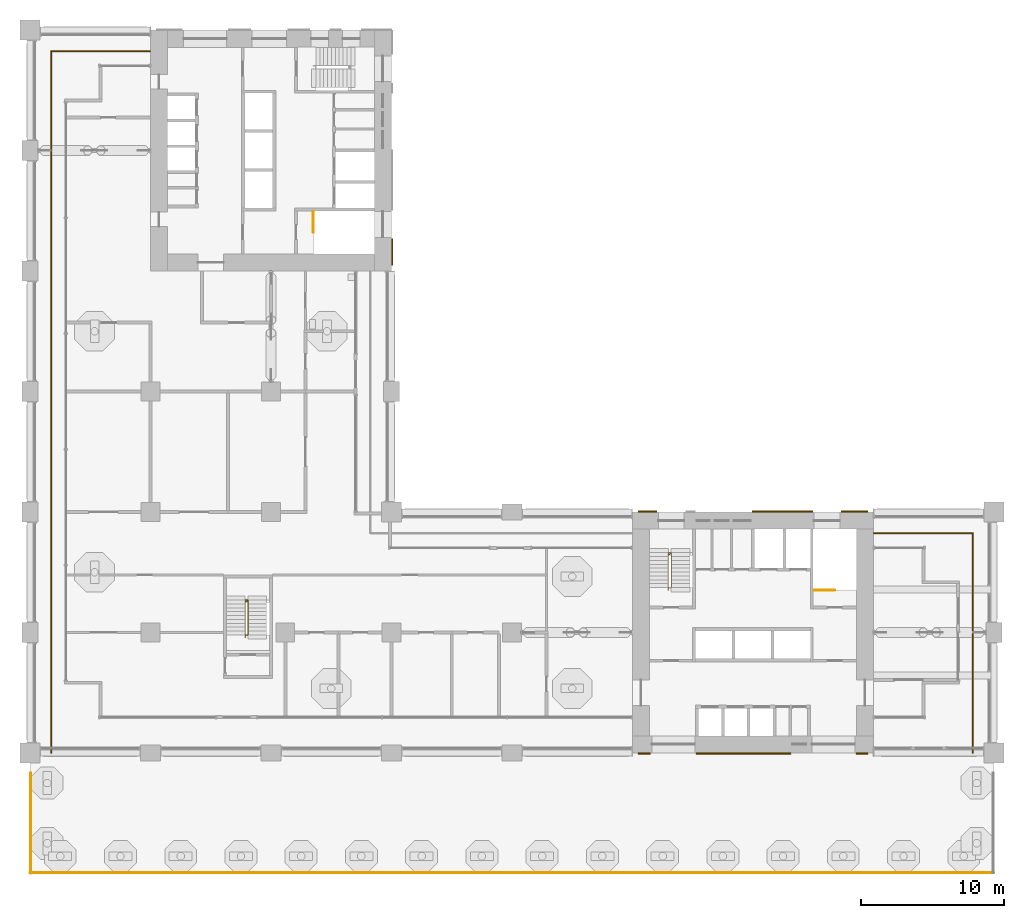
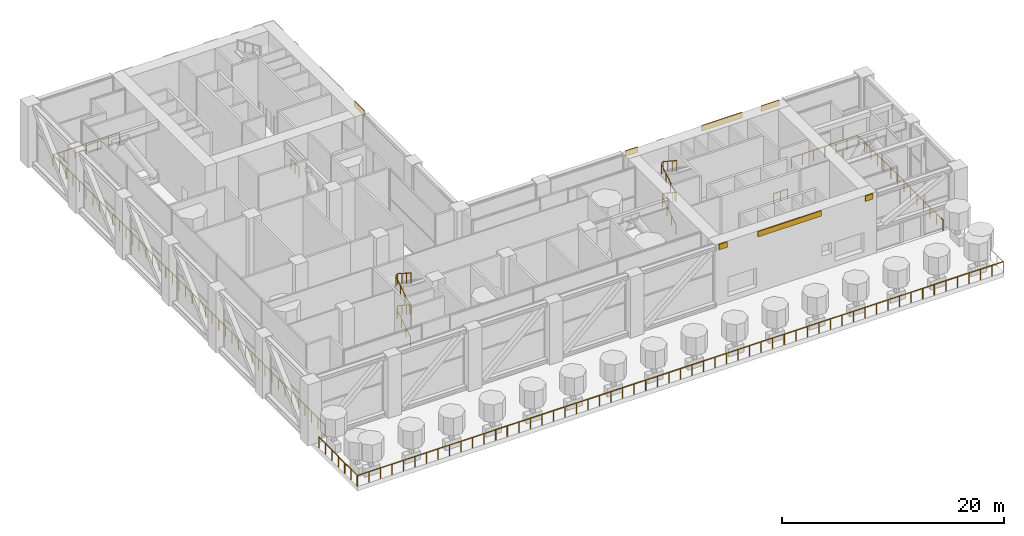
# One storey, part 23 of 28: 8 railings, 7 shading devices.
"""IFC4 building model written with IfcOpenShell, lengths in metres."""

import ifcopenshell
import ifcopenshell.guid

model = None  # the IFC model being written
_history = None  # IfcOwnerHistory: only IFC2X3 demands one
_inside = {}  # id of a spatial element -> (the spatial element, [elements in it])
_under = {}  # id of a project, library or spatial element -> (it, [spatial elements below it])
_declared = {}  # id of a project -> (the project, [libraries it declares])
_typed = {}  # id of a type object -> (the type object, [elements of that type])
_made_of = {}  # id of a material, layer set ... -> (it, [elements and type objects made of it])


def new_model(schema):
    """Start an empty IFC model of exactly this schema.

    Asked for "IFC4X3", IfcOpenShell would pick the latest addendum, in which some entities
    have other attributes; the version numbers below select the first issue.
    IFC2X3 requires an IfcOwnerHistory on every rooted entity: one is made here for all.
    """
    global model, _history
    if schema == "IFC4X3":
        model = ifcopenshell.file(schema_version=(4, 3, 0, 0))
    else:
        model = ifcopenshell.file(schema=schema)
    _inside.clear()
    _under.clear()
    _declared.clear()
    _typed.clear()
    _made_of.clear()
    _history = None
    if model.schema == "IFC2X3":
        org = make("IfcOrganization", Name="unknown")
        user = make(
            "IfcPersonAndOrganization",
            ThePerson=make("IfcPerson", FamilyName="unknown"),
            TheOrganization=org,
        )
        app = make(
            "IfcApplication",
            ApplicationDeveloper=org,
            Version="unknown",
            ApplicationFullName="unknown",
            ApplicationIdentifier="unknown",
        )
        _history = make(
            "IfcOwnerHistory",
            OwningUser=user,
            OwningApplication=app,
            ChangeAction="ADDED",
            CreationDate=0,
        )
    return model


def make(cls, **values):
    """One entity of the class cls with the attributes given. An attribute that is None is left unset."""
    return model.create_entity(
        cls, **{name: value for name, value in values.items() if value is not None}
    )


def rooted(cls, **values):
    """An entity with a GlobalId (a new one), such as an element, a storey or a relation."""
    return make(cls, GlobalId=ifcopenshell.guid.new(), OwnerHistory=_history, **values)


def si_unit(unit_type, name, prefix=None):
    """IfcSIUnit, for example si_unit("LENGTHUNIT", "METRE", prefix="MILLI")."""
    return make("IfcSIUnit", UnitType=unit_type, Prefix=prefix, Name=name)


def assignment(units):
    """IfcUnitAssignment: the units of a project."""
    return None if units is None else make("IfcUnitAssignment", Units=units)


def point(xyz):
    """IfcCartesianPoint."""
    return None if xyz is None else make("IfcCartesianPoint", Coordinates=xyz)


def direction(xyz):
    """IfcDirection."""
    return None if xyz is None else make("IfcDirection", DirectionRatios=xyz)


def frame(location, z_axis=None, x_axis=None):
    """IfcAxis2Placement3D, a coordinate frame: its origin and axes. An axis left out is left unset."""
    return make(
        "IfcAxis2Placement3D",
        Location=point(location),
        Axis=direction(z_axis),
        RefDirection=direction(x_axis),
    )


def frame_2d(location, x_axis=None):
    """IfcAxis2Placement2D, a coordinate frame in the plane: its origin and x axis."""
    return make(
        "IfcAxis2Placement2D", Location=point(location), RefDirection=direction(x_axis)
    )


def origin():
    """The frame at (0, 0, 0) with its axes left unset."""
    return frame((0.0, 0.0, 0.0))


def origin_2d():
    """The frame at (0, 0) in the plane with its x axis left unset."""
    return frame_2d((0.0, 0.0))


def place(relative_to, where):
    """IfcLocalPlacement: puts the frame where relative to a parent placement (None: the world)."""
    return make(
        "IfcLocalPlacement", PlacementRelTo=relative_to, RelativePlacement=where
    )


def context(
    kind, dimensions, precision=None, world=None, true_north=None, identifier=None
):
    """IfcGeometricRepresentationContext, for example the 3D "Model" context."""
    return make(
        "IfcGeometricRepresentationContext",
        ContextIdentifier=identifier,
        ContextType=kind,
        CoordinateSpaceDimension=dimensions,
        Precision=precision,
        WorldCoordinateSystem=world,
        TrueNorth=true_north,
    )


def subcontext(parent, identifier, kind, view, scale=None):
    """IfcGeometricRepresentationSubContext, for example "Body" below "Model"."""
    return make(
        "IfcGeometricRepresentationSubContext",
        ContextIdentifier=identifier,
        ContextType=kind,
        ParentContext=parent,
        TargetScale=scale,
        TargetView=view,
    )


def project(units=None, contexts=None):
    """IfcProject with its units and contexts."""
    return rooted(
        "IfcProject",
        Name="project",
        RepresentationContexts=contexts,
        UnitsInContext=assignment(units),
    )


def spatial(cls, under=None, at=None, **own):
    """A site, building, storey or space (cls), placed at a placement, below another one or the project."""
    s = rooted(cls, ObjectPlacement=at, **own)
    if under is not None:
        _under.setdefault(under.id(), (under, []))[1].append(s)
    return s


def profile(cls, at=None, kind="AREA", **sizes):
    """A parametric profile (cls). Its sizes go by their IFC names, for example OverallWidth=200.0."""
    return make(cls, ProfileType=kind, Position=at, **sizes)


def rectangle(**sizes):
    """IfcRectangleProfileDef."""
    return profile("IfcRectangleProfileDef", **sizes)


def circle(**sizes):
    """IfcCircleProfileDef."""
    return profile("IfcCircleProfileDef", **sizes)


def extrude(swept, where, along, depth):
    """IfcExtrudedAreaSolid: the profile swept, set in the frame where, extruded along a direction by depth."""
    return make(
        "IfcExtrudedAreaSolid",
        SweptArea=swept,
        Position=where,
        ExtrudedDirection=direction(along),
        Depth=depth,
    )


def shape(context_of_items, identifier, shape_type, items):
    """IfcShapeRepresentation: the items that make up one representation, for example the "Body"."""
    return make(
        "IfcShapeRepresentation",
        ContextOfItems=context_of_items,
        RepresentationIdentifier=identifier,
        RepresentationType=shape_type,
        Items=items,
    )


def material(Name=None, Category=None):
    """IfcMaterial."""
    return make("IfcMaterial", Name=Name, Category=Category)


def layer(
    of_material, thickness, ventilated=None, Name=None, Category=None, Priority=None
):
    """IfcMaterialLayer: one layer of a wall or slab, of a material (None: an air gap)."""
    return make(
        "IfcMaterialLayer",
        Material=of_material,
        LayerThickness=thickness,
        IsVentilated=ventilated,
        Name=Name,
        Category=Category,
        Priority=Priority,
    )


def layer_set(layers, Name=None):
    """IfcMaterialLayerSet."""
    return make("IfcMaterialLayerSet", MaterialLayers=layers, LayerSetName=Name)


def made_of(thing, what):
    """Note that an element or type object is made of a material, layer set ...; save() writes the relation."""
    if what is not None:
        _made_of.setdefault(what.id(), (what, []))[1].append(thing)
    return thing


def type_object(cls, material=None, **own):
    """A type object (cls), such as IfcWallType, which elements share."""
    return made_of(rooted(cls, **own), material)


def element(
    cls,
    number,
    at=None,
    inside=None,
    cuts=None,
    type_object=None,
    material=None,
    context=None,
    identifier="Body",
    shape_type=None,
    held_by="IfcProductDefinitionShape",
    body=None,
    shapes=None,
    **own,
):
    """One element of the class cls, such as IfcWall. Its Tag is "e" and its number.

    at: its placement. inside: the storey or other place that contains it. cuts: it is an
    opening in that element (IfcRelVoidsElement). A single representation is given by context,
    identifier, shape_type and body (its items); several are given by shapes. held_by: the class
    of the entity that holds the representations. save() writes the other relations.
    """
    e = rooted(cls, Tag="e%d" % number, ObjectPlacement=at, **own)
    if body is not None:
        shapes = [shape(context, identifier, shape_type, body)]
    if shapes is not None:
        e.Representation = make(held_by, Representations=shapes)
    if inside is not None:
        _inside.setdefault(inside.id(), (inside, []))[1].append(e)
    if cuts is not None:
        rooted(
            "IfcRelVoidsElement", RelatingBuildingElement=cuts, RelatedOpeningElement=e
        )
    if type_object is not None:
        _typed.setdefault(type_object.id(), (type_object, []))[1].append(e)
    return made_of(e, material)


def aggregate(whole, parts):
    """IfcRelAggregates: a whole, such as a stair, and the parts it consists of."""
    return rooted("IfcRelAggregates", RelatingObject=whole, RelatedObjects=parts)


def save(model, path):
    """Write the relations noted so far, then the file.

    IfcRelAggregates (storeys below a building ...), IfcRelContainedInSpatialStructure (elements
    in a storey), IfcRelDefinesByType, IfcRelAssociatesMaterial and IfcRelDeclares: one each for
    every whole, place, type object, material and project.
    """
    for whole, parts in _under.values():
        aggregate(whole, parts)
    for where, things in _inside.values():
        rooted(
            "IfcRelContainedInSpatialStructure",
            RelatedElements=things,
            RelatingStructure=where,
        )
    for kind, things in _typed.values():
        rooted("IfcRelDefinesByType", RelatedObjects=things, RelatingType=kind)
    for what, things in _made_of.values():
        rooted("IfcRelAssociatesMaterial", RelatedObjects=things, RelatingMaterial=what)
    for by, libraries in _declared.values():
        rooted("IfcRelDeclares", RelatingContext=by, RelatedDefinitions=libraries)
    model.write(path)


model = new_model("IFC4")

# Units and contexts
model_context = context("Model", 3, precision=1e-05, world=origin(), true_north=direction((0.0, 1.0)))
body_context = subcontext(model_context, "Body", "Model", "MODEL_VIEW")
ifc_project = project(units=[si_unit("LENGTHUNIT", "METRE"), si_unit("AREAUNIT", "SQUARE_METRE"), si_unit("VOLUMEUNIT", "CUBIC_METRE"), si_unit("PLANEANGLEUNIT", "RADIAN"), si_unit("MASSUNIT", "GRAM", prefix="KILO")], contexts=[model_context])

# Site, building, storey
site_placement = place(None, origin())
site = spatial("IfcSite", under=ifc_project, at=site_placement, CompositionType="ELEMENT")
building_placement = place(site_placement, origin())
building = spatial("IfcBuilding", under=site, at=building_placement, Name="Vermilion Gate Residences", CompositionType="ELEMENT")
storey_placement = place(building_placement, frame((0.0, 0.0, 74.199951171875)))
storey = spatial("IfcBuildingStorey", under=building, at=storey_placement, Name="L18", CompositionType="ELEMENT", Elevation=74.199951171875)

# Railings
ifc_material_1 = material(Name="Stainless steel and toughened glass", Category="steel")
railing_type_1 = type_object("IfcRailingType", Name="LOGGIA GUARD STEEL AND GLASS 1200", PredefinedType="GUARDRAIL", material=ifc_material_1)
railing_1_placement = place(storey_placement, frame((65.72509765625, 8.39990234375, 0.0)))
element("IfcRailing", 1, at=railing_1_placement, inside=storey, type_object=railing_type_1, Name="Loggia guard", PredefinedType="GUARDRAIL", context=body_context, shape_type="SweptSolid", body=[
    extrude(circle(Radius=0.030029296875, at=origin_2d()), frame((0.0, 0.0, 1.169921875), z_axis=(0.0, 1.0, 0.0), x_axis=(-1.0, 0.0, 0.0)), (0.0, 0.0, 1.0), 15.3251953125),
    extrude(circle(Radius=0.030029296875, at=origin_2d()), frame((0.0, 15.3251953125, 1.169921875), z_axis=(-1.0, 0.0, 0.0), x_axis=(0.0, -1.0, 0.0)), (0.0, 0.0, 1.0), 6.903076171875),
    extrude(circle(Radius=0.02490234375, at=origin_2d()), origin(), (0.0, 0.0, 1.0), 1.139892578125),
    extrude(circle(Radius=0.02490234375, at=origin_2d()), frame((0.0, 1.178955078125, 0.0)), (0.0, 0.0, 1.0), 1.139892578125),
    extrude(circle(Radius=0.02490234375, at=origin_2d()), frame((0.0, 2.357666015625, 0.0)), (0.0, 0.0, 1.0), 1.139892578125),
    extrude(circle(Radius=0.02490234375, at=origin_2d()), frame((0.0, 3.53662109375, 0.0)), (0.0, 0.0, 1.0), 1.139892578125),
    extrude(circle(Radius=0.02490234375, at=origin_2d()), frame((0.0, 4.71533203125, 0.0)), (0.0, 0.0, 1.0), 1.139892578125),
    extrude(circle(Radius=0.02490234375, at=origin_2d()), frame((0.0, 5.894287109375, 0.0)), (0.0, 0.0, 1.0), 1.139892578125),
    extrude(circle(Radius=0.02490234375, at=origin_2d()), frame((0.0, 7.0732421875, 0.0)), (0.0, 0.0, 1.0), 1.139892578125),
    extrude(circle(Radius=0.02490234375, at=origin_2d()), frame((0.0, 8.251953125, 0.0)), (0.0, 0.0, 1.0), 1.139892578125),
    extrude(circle(Radius=0.02490234375, at=origin_2d()), frame((0.0, 9.430908203125, 0.0)), (0.0, 0.0, 1.0), 1.139892578125),
    extrude(circle(Radius=0.02490234375, at=origin_2d()), frame((0.0, 10.60986328125, 0.0)), (0.0, 0.0, 1.0), 1.139892578125),
    extrude(circle(Radius=0.02490234375, at=origin_2d()), frame((0.0, 11.78857421875, 0.0)), (0.0, 0.0, 1.0), 1.139892578125),
    extrude(circle(Radius=0.02490234375, at=origin_2d()), frame((0.0, 12.967529296875, 0.0)), (0.0, 0.0, 1.0), 1.139892578125),
    extrude(circle(Radius=0.02490234375, at=origin_2d()), frame((0.0, 14.146240234375, 0.0)), (0.0, 0.0, 1.0), 1.139892578125),
    extrude(circle(Radius=0.02490234375, at=origin_2d()), frame((0.0, 15.3251953125, 0.0)), (0.0, 0.0, 1.0), 1.139892578125),
    extrude(circle(Radius=0.02490234375, at=origin_2d()), frame((-1.150390625, 15.3251953125, 0.0)), (0.0, 0.0, 1.0), 1.139892578125),
    extrude(circle(Radius=0.02490234375, at=origin_2d()), frame((-2.301025390625, 15.3251953125, 0.0)), (0.0, 0.0, 1.0), 1.139892578125),
    extrude(circle(Radius=0.02490234375, at=origin_2d()), frame((-3.45166015625, 15.3251953125, 0.0)), (0.0, 0.0, 1.0), 1.139892578125),
    extrude(circle(Radius=0.02490234375, at=origin_2d()), frame((-4.60205078125, 15.3251953125, 0.0)), (0.0, 0.0, 1.0), 1.139892578125),
    extrude(circle(Radius=0.02490234375, at=origin_2d()), frame((-5.75244140625, 15.3251953125, 0.0)), (0.0, 0.0, 1.0), 1.139892578125),
    extrude(circle(Radius=0.02490234375, at=origin_2d()), frame((-6.903076171875, 15.3251953125, 0.0)), (0.0, 0.0, 1.0), 1.139892578125),
])
railing_2_placement = place(storey_placement, frame((8.3779296875, 57.324951171875, 0.0)))
element("IfcRailing", 2, at=railing_2_placement, inside=storey, type_object=railing_type_1, Name="Loggia guard", PredefinedType="GUARDRAIL", context=body_context, shape_type="SweptSolid", body=[
    extrude(circle(Radius=0.030029296875, at=origin_2d()), frame((0.0, 0.0, 1.169921875), z_axis=(-1.0, 0.0, 0.0), x_axis=(0.0, -1.0, 0.0)), (0.0, 0.0, 1.0), 6.90283203125),
    extrude(circle(Radius=0.030029296875, at=origin_2d()), frame((-6.90283203125, 0.0, 1.169921875), z_axis=(0.0, -1.0, 0.0), x_axis=(1.0, 0.0, 0.0)), (0.0, 0.0, 1.0), 48.925048828125),
    extrude(circle(Radius=0.02490234375, at=origin_2d()), origin(), (0.0, 0.0, 1.0), 1.139892578125),
    extrude(circle(Radius=0.02490234375, at=origin_2d()), frame((-1.150390625, 0.0, 0.0)), (0.0, 0.0, 1.0), 1.139892578125),
    extrude(circle(Radius=0.02490234375, at=origin_2d()), frame((-2.301025390625, 0.0, 0.0)), (0.0, 0.0, 1.0), 1.139892578125),
    extrude(circle(Radius=0.02490234375, at=origin_2d()), frame((-3.451416015625, 0.0, 0.0)), (0.0, 0.0, 1.0), 1.139892578125),
    extrude(circle(Radius=0.02490234375, at=origin_2d()), frame((-4.601806640625, 0.0, 0.0)), (0.0, 0.0, 1.0), 1.139892578125),
    extrude(circle(Radius=0.02490234375, at=origin_2d()), frame((-5.75244140625, 0.0, 0.0)), (0.0, 0.0, 1.0), 1.139892578125),
    extrude(circle(Radius=0.02490234375, at=origin_2d()), frame((-6.90283203125, 0.0, 0.0)), (0.0, 0.0, 1.0), 1.139892578125),
    extrude(circle(Radius=0.02490234375, at=origin_2d()), frame((-6.90283203125, -1.193359375, 0.0)), (0.0, 0.0, 1.0), 1.139892578125),
    extrude(circle(Radius=0.02490234375, at=origin_2d()), frame((-6.90283203125, -2.386474609375, 0.0)), (0.0, 0.0, 1.0), 1.139892578125),
    extrude(circle(Radius=0.02490234375, at=origin_2d()), frame((-6.90283203125, -3.579833984375, 0.0)), (0.0, 0.0, 1.0), 1.139892578125),
    extrude(circle(Radius=0.02490234375, at=origin_2d()), frame((-6.90283203125, -4.773193359375, 0.0)), (0.0, 0.0, 1.0), 1.139892578125),
    extrude(circle(Radius=0.02490234375, at=origin_2d()), frame((-6.90283203125, -5.966552734375, 0.0)), (0.0, 0.0, 1.0), 1.139892578125),
    extrude(circle(Radius=0.02490234375, at=origin_2d()), frame((-6.90283203125, -7.15966796875, 0.0)), (0.0, 0.0, 1.0), 1.139892578125),
    extrude(circle(Radius=0.02490234375, at=origin_2d()), frame((-6.90283203125, -8.35302734375, 0.0)), (0.0, 0.0, 1.0), 1.139892578125),
    extrude(circle(Radius=0.02490234375, at=origin_2d()), frame((-6.90283203125, -9.54638671875, 0.0)), (0.0, 0.0, 1.0), 1.139892578125),
    extrude(circle(Radius=0.02490234375, at=origin_2d()), frame((-6.90283203125, -10.73974609375, 0.0)), (0.0, 0.0, 1.0), 1.139892578125),
    extrude(circle(Radius=0.02490234375, at=origin_2d()), frame((-6.90283203125, -11.932861328125, 0.0)), (0.0, 0.0, 1.0), 1.139892578125),
    extrude(circle(Radius=0.02490234375, at=origin_2d()), frame((-6.90283203125, -13.126220703125, 0.0)), (0.0, 0.0, 1.0), 1.139892578125),
    extrude(circle(Radius=0.02490234375, at=origin_2d()), frame((-6.90283203125, -14.319580078125, 0.0)), (0.0, 0.0, 1.0), 1.139892578125),
    extrude(circle(Radius=0.02490234375, at=origin_2d()), frame((-6.90283203125, -15.512939453125, 0.0)), (0.0, 0.0, 1.0), 1.139892578125),
    extrude(circle(Radius=0.02490234375, at=origin_2d()), frame((-6.90283203125, -16.7060546875, 0.0)), (0.0, 0.0, 1.0), 1.139892578125),
    extrude(circle(Radius=0.02490234375, at=origin_2d()), frame((-6.90283203125, -17.8994140625, 0.0)), (0.0, 0.0, 1.0), 1.139892578125),
    extrude(circle(Radius=0.02490234375, at=origin_2d()), frame((-6.90283203125, -19.0927734375, 0.0)), (0.0, 0.0, 1.0), 1.139892578125),
    extrude(circle(Radius=0.02490234375, at=origin_2d()), frame((-6.90283203125, -20.285888671875, 0.0)), (0.0, 0.0, 1.0), 1.139892578125),
    extrude(circle(Radius=0.02490234375, at=origin_2d()), frame((-6.90283203125, -21.479248046875, 0.0)), (0.0, 0.0, 1.0), 1.139892578125),
    extrude(circle(Radius=0.02490234375, at=origin_2d()), frame((-6.90283203125, -22.672607421875, 0.0)), (0.0, 0.0, 1.0), 1.139892578125),
    extrude(circle(Radius=0.02490234375, at=origin_2d()), frame((-6.90283203125, -23.865966796875, 0.0)), (0.0, 0.0, 1.0), 1.139892578125),
    extrude(circle(Radius=0.02490234375, at=origin_2d()), frame((-6.90283203125, -25.05908203125, 0.0)), (0.0, 0.0, 1.0), 1.139892578125),
    extrude(circle(Radius=0.02490234375, at=origin_2d()), frame((-6.90283203125, -26.25244140625, 0.0)), (0.0, 0.0, 1.0), 1.139892578125),
    extrude(circle(Radius=0.02490234375, at=origin_2d()), frame((-6.90283203125, -27.44580078125, 0.0)), (0.0, 0.0, 1.0), 1.139892578125),
    extrude(circle(Radius=0.02490234375, at=origin_2d()), frame((-6.90283203125, -28.63916015625, 0.0)), (0.0, 0.0, 1.0), 1.139892578125),
    extrude(circle(Radius=0.02490234375, at=origin_2d()), frame((-6.90283203125, -29.832275390625, 0.0)), (0.0, 0.0, 1.0), 1.139892578125),
    extrude(circle(Radius=0.02490234375, at=origin_2d()), frame((-6.90283203125, -31.025634765625, 0.0)), (0.0, 0.0, 1.0), 1.139892578125),
    extrude(circle(Radius=0.02490234375, at=origin_2d()), frame((-6.90283203125, -32.218994140625, 0.0)), (0.0, 0.0, 1.0), 1.139892578125),
    extrude(circle(Radius=0.02490234375, at=origin_2d()), frame((-6.90283203125, -33.412109375, 0.0)), (0.0, 0.0, 1.0), 1.139892578125),
    extrude(circle(Radius=0.02490234375, at=origin_2d()), frame((-6.90283203125, -34.60546875, 0.0)), (0.0, 0.0, 1.0), 1.139892578125),
    extrude(circle(Radius=0.02490234375, at=origin_2d()), frame((-6.90283203125, -35.798828125, 0.0)), (0.0, 0.0, 1.0), 1.139892578125),
    extrude(circle(Radius=0.02490234375, at=origin_2d()), frame((-6.90283203125, -36.9921875, 0.0)), (0.0, 0.0, 1.0), 1.139892578125),
    extrude(circle(Radius=0.02490234375, at=origin_2d()), frame((-6.90283203125, -38.185302734375, 0.0)), (0.0, 0.0, 1.0), 1.139892578125),
    extrude(circle(Radius=0.02490234375, at=origin_2d()), frame((-6.90283203125, -39.378662109375, 0.0)), (0.0, 0.0, 1.0), 1.139892578125),
    extrude(circle(Radius=0.02490234375, at=origin_2d()), frame((-6.90283203125, -40.572021484375, 0.0)), (0.0, 0.0, 1.0), 1.139892578125),
    extrude(circle(Radius=0.02490234375, at=origin_2d()), frame((-6.90283203125, -41.765380859375, 0.0)), (0.0, 0.0, 1.0), 1.139892578125),
    extrude(circle(Radius=0.02490234375, at=origin_2d()), frame((-6.90283203125, -42.95849609375, 0.0)), (0.0, 0.0, 1.0), 1.139892578125),
    extrude(circle(Radius=0.02490234375, at=origin_2d()), frame((-6.90283203125, -44.15185546875, 0.0)), (0.0, 0.0, 1.0), 1.139892578125),
    extrude(circle(Radius=0.02490234375, at=origin_2d()), frame((-6.90283203125, -45.34521484375, 0.0)), (0.0, 0.0, 1.0), 1.139892578125),
    extrude(circle(Radius=0.02490234375, at=origin_2d()), frame((-6.90283203125, -46.53857421875, 0.0)), (0.0, 0.0, 1.0), 1.139892578125),
    extrude(circle(Radius=0.02490234375, at=origin_2d()), frame((-6.90283203125, -47.731689453125, 0.0)), (0.0, 0.0, 1.0), 1.139892578125),
    extrude(circle(Radius=0.02490234375, at=origin_2d()), frame((-6.90283203125, -48.925048828125, 0.0)), (0.0, 0.0, 1.0), 1.139892578125),
])
railing_3_placement = place(storey_placement, frame((0.050048828125, 7.0029296875, 0.0)))
element("IfcRailing", 3, at=railing_3_placement, inside=storey, type_object=railing_type_1, Name="Loggia guard", PredefinedType="GUARDRAIL", context=body_context, shape_type="SweptSolid", body=[
    extrude(circle(Radius=0.030029296875, at=origin_2d()), frame((0.0, 0.0, 1.169921875), z_axis=(0.0, -1.0, 0.0), x_axis=(1.0, 0.0, 0.0)), (0.0, 0.0, 1.0), 6.98095703125),
    extrude(circle(Radius=0.02490234375, at=origin_2d()), origin(), (0.0, 0.0, 1.0), 1.139892578125),
    extrude(circle(Radius=0.02490234375, at=origin_2d()), frame((0.0, -1.16357421875, 0.0)), (0.0, 0.0, 1.0), 1.139892578125),
    extrude(circle(Radius=0.02490234375, at=origin_2d()), frame((0.0, -2.326904296875, 0.0)), (0.0, 0.0, 1.0), 1.139892578125),
    extrude(circle(Radius=0.02490234375, at=origin_2d()), frame((0.0, -3.490478515625, 0.0)), (0.0, 0.0, 1.0), 1.139892578125),
    extrude(circle(Radius=0.02490234375, at=origin_2d()), frame((0.0, -4.654052734375, 0.0)), (0.0, 0.0, 1.0), 1.139892578125),
    extrude(circle(Radius=0.02490234375, at=origin_2d()), frame((0.0, -5.8173828125, 0.0)), (0.0, 0.0, 1.0), 1.139892578125),
    extrude(circle(Radius=0.02490234375, at=origin_2d()), frame((0.0, -6.98095703125, 0.0)), (0.0, 0.0, 1.0), 1.139892578125),
])
railing_4_placement = place(storey_placement, frame((0.02197265625, 0.050048828125, 0.0)))
element("IfcRailing", 4, at=railing_4_placement, inside=storey, type_object=railing_type_1, Name="Loggia guard", PredefinedType="GUARDRAIL", context=body_context, shape_type="SweptSolid", body=[
    extrude(circle(Radius=0.030029296875, at=origin_2d()), frame((0.0, 0.0, 1.169921875), z_axis=(1.0, 0.0, 0.0), x_axis=(0.0, 1.0, 0.0)), (0.0, 0.0, 1.0), 67.156005859375),
    extrude(circle(Radius=0.02490234375, at=origin_2d()), origin(), (0.0, 0.0, 1.0), 1.139892578125),
    extrude(circle(Radius=0.02490234375, at=origin_2d()), frame((1.19921875, 0.0, 0.0)), (0.0, 0.0, 1.0), 1.139892578125),
    extrude(circle(Radius=0.02490234375, at=origin_2d()), frame((2.3984375, 0.0, 0.0)), (0.0, 0.0, 1.0), 1.139892578125),
    extrude(circle(Radius=0.02490234375, at=origin_2d()), frame((3.59765625, 0.0, 0.0)), (0.0, 0.0, 1.0), 1.139892578125),
    extrude(circle(Radius=0.02490234375, at=origin_2d()), frame((4.796875, 0.0, 0.0)), (0.0, 0.0, 1.0), 1.139892578125),
    extrude(circle(Radius=0.02490234375, at=origin_2d()), frame((5.99609375, 0.0, 0.0)), (0.0, 0.0, 1.0), 1.139892578125),
    extrude(circle(Radius=0.02490234375, at=origin_2d()), frame((7.1953125, 0.0, 0.0)), (0.0, 0.0, 1.0), 1.139892578125),
    extrude(circle(Radius=0.02490234375, at=origin_2d()), frame((8.39453125, 0.0, 0.0)), (0.0, 0.0, 1.0), 1.139892578125),
    extrude(circle(Radius=0.02490234375, at=origin_2d()), frame((9.59375, 0.0, 0.0)), (0.0, 0.0, 1.0), 1.139892578125),
    extrude(circle(Radius=0.02490234375, at=origin_2d()), frame((10.79296875, 0.0, 0.0)), (0.0, 0.0, 1.0), 1.139892578125),
    extrude(circle(Radius=0.02490234375, at=origin_2d()), frame((11.9921875, 0.0, 0.0)), (0.0, 0.0, 1.0), 1.139892578125),
    extrude(circle(Radius=0.02490234375, at=origin_2d()), frame((13.19140625, 0.0, 0.0)), (0.0, 0.0, 1.0), 1.139892578125),
    extrude(circle(Radius=0.02490234375, at=origin_2d()), frame((14.390625, 0.0, 0.0)), (0.0, 0.0, 1.0), 1.139892578125),
    extrude(circle(Radius=0.02490234375, at=origin_2d()), frame((15.58984375, 0.0, 0.0)), (0.0, 0.0, 1.0), 1.139892578125),
    extrude(circle(Radius=0.02490234375, at=origin_2d()), frame((16.7890625, 0.0, 0.0)), (0.0, 0.0, 1.0), 1.139892578125),
    extrude(circle(Radius=0.02490234375, at=origin_2d()), frame((17.98828125, 0.0, 0.0)), (0.0, 0.0, 1.0), 1.139892578125),
    extrude(circle(Radius=0.02490234375, at=origin_2d()), frame((19.1875, 0.0, 0.0)), (0.0, 0.0, 1.0), 1.139892578125),
    extrude(circle(Radius=0.02490234375, at=origin_2d()), frame((20.38671875, 0.0, 0.0)), (0.0, 0.0, 1.0), 1.139892578125),
    extrude(circle(Radius=0.02490234375, at=origin_2d()), frame((21.5859375, 0.0, 0.0)), (0.0, 0.0, 1.0), 1.139892578125),
    extrude(circle(Radius=0.02490234375, at=origin_2d()), frame((22.78515625, 0.0, 0.0)), (0.0, 0.0, 1.0), 1.139892578125),
    extrude(circle(Radius=0.02490234375, at=origin_2d()), frame((23.984375, 0.0, 0.0)), (0.0, 0.0, 1.0), 1.139892578125),
    extrude(circle(Radius=0.02490234375, at=origin_2d()), frame((25.18359375, 0.0, 0.0)), (0.0, 0.0, 1.0), 1.139892578125),
    extrude(circle(Radius=0.02490234375, at=origin_2d()), frame((26.3828125, 0.0, 0.0)), (0.0, 0.0, 1.0), 1.139892578125),
    extrude(circle(Radius=0.02490234375, at=origin_2d()), frame((27.58203125, 0.0, 0.0)), (0.0, 0.0, 1.0), 1.139892578125),
    extrude(circle(Radius=0.02490234375, at=origin_2d()), frame((28.78125, 0.0, 0.0)), (0.0, 0.0, 1.0), 1.139892578125),
    extrude(circle(Radius=0.02490234375, at=origin_2d()), frame((29.98046875, 0.0, 0.0)), (0.0, 0.0, 1.0), 1.139892578125),
    extrude(circle(Radius=0.02490234375, at=origin_2d()), frame((31.1796875, 0.0, 0.0)), (0.0, 0.0, 1.0), 1.139892578125),
    extrude(circle(Radius=0.02490234375, at=origin_2d()), frame((32.37890625, 0.0, 0.0)), (0.0, 0.0, 1.0), 1.139892578125),
    extrude(circle(Radius=0.02490234375, at=origin_2d()), frame((33.578125, 0.0, 0.0)), (0.0, 0.0, 1.0), 1.139892578125),
    extrude(circle(Radius=0.02490234375, at=origin_2d()), frame((34.777099609375, 0.0, 0.0)), (0.0, 0.0, 1.0), 1.139892578125),
    extrude(circle(Radius=0.02490234375, at=origin_2d()), frame((35.976318359375, 0.0, 0.0)), (0.0, 0.0, 1.0), 1.139892578125),
    extrude(circle(Radius=0.02490234375, at=origin_2d()), frame((37.175537109375, 0.0, 0.0)), (0.0, 0.0, 1.0), 1.139892578125),
    extrude(circle(Radius=0.02490234375, at=origin_2d()), frame((38.374755859375, 0.0, 0.0)), (0.0, 0.0, 1.0), 1.139892578125),
    extrude(circle(Radius=0.02490234375, at=origin_2d()), frame((39.573974609375, 0.0, 0.0)), (0.0, 0.0, 1.0), 1.139892578125),
    extrude(circle(Radius=0.02490234375, at=origin_2d()), frame((40.773193359375, 0.0, 0.0)), (0.0, 0.0, 1.0), 1.139892578125),
    extrude(circle(Radius=0.02490234375, at=origin_2d()), frame((41.972412109375, 0.0, 0.0)), (0.0, 0.0, 1.0), 1.139892578125),
    extrude(circle(Radius=0.02490234375, at=origin_2d()), frame((43.171630859375, 0.0, 0.0)), (0.0, 0.0, 1.0), 1.139892578125),
    extrude(circle(Radius=0.02490234375, at=origin_2d()), frame((44.370849609375, 0.0, 0.0)), (0.0, 0.0, 1.0), 1.139892578125),
    extrude(circle(Radius=0.02490234375, at=origin_2d()), frame((45.570068359375, 0.0, 0.0)), (0.0, 0.0, 1.0), 1.139892578125),
    extrude(circle(Radius=0.02490234375, at=origin_2d()), frame((46.769287109375, 0.0, 0.0)), (0.0, 0.0, 1.0), 1.139892578125),
    extrude(circle(Radius=0.02490234375, at=origin_2d()), frame((47.968505859375, 0.0, 0.0)), (0.0, 0.0, 1.0), 1.139892578125),
    extrude(circle(Radius=0.02490234375, at=origin_2d()), frame((49.167724609375, 0.0, 0.0)), (0.0, 0.0, 1.0), 1.139892578125),
    extrude(circle(Radius=0.02490234375, at=origin_2d()), frame((50.366943359375, 0.0, 0.0)), (0.0, 0.0, 1.0), 1.139892578125),
    extrude(circle(Radius=0.02490234375, at=origin_2d()), frame((51.566162109375, 0.0, 0.0)), (0.0, 0.0, 1.0), 1.139892578125),
    extrude(circle(Radius=0.02490234375, at=origin_2d()), frame((52.765380859375, 0.0, 0.0)), (0.0, 0.0, 1.0), 1.139892578125),
    extrude(circle(Radius=0.02490234375, at=origin_2d()), frame((53.964599609375, 0.0, 0.0)), (0.0, 0.0, 1.0), 1.139892578125),
    extrude(circle(Radius=0.02490234375, at=origin_2d()), frame((55.163818359375, 0.0, 0.0)), (0.0, 0.0, 1.0), 1.139892578125),
    extrude(circle(Radius=0.02490234375, at=origin_2d()), frame((56.363037109375, 0.0, 0.0)), (0.0, 0.0, 1.0), 1.139892578125),
    extrude(circle(Radius=0.02490234375, at=origin_2d()), frame((57.562255859375, 0.0, 0.0)), (0.0, 0.0, 1.0), 1.139892578125),
    extrude(circle(Radius=0.02490234375, at=origin_2d()), frame((58.761474609375, 0.0, 0.0)), (0.0, 0.0, 1.0), 1.139892578125),
    extrude(circle(Radius=0.02490234375, at=origin_2d()), frame((59.960693359375, 0.0, 0.0)), (0.0, 0.0, 1.0), 1.139892578125),
    extrude(circle(Radius=0.02490234375, at=origin_2d()), frame((61.159912109375, 0.0, 0.0)), (0.0, 0.0, 1.0), 1.139892578125),
    extrude(circle(Radius=0.02490234375, at=origin_2d()), frame((62.359130859375, 0.0, 0.0)), (0.0, 0.0, 1.0), 1.139892578125),
    extrude(circle(Radius=0.02490234375, at=origin_2d()), frame((63.558349609375, 0.0, 0.0)), (0.0, 0.0, 1.0), 1.139892578125),
    extrude(circle(Radius=0.02490234375, at=origin_2d()), frame((64.757568359375, 0.0, 0.0)), (0.0, 0.0, 1.0), 1.139892578125),
    extrude(circle(Radius=0.02490234375, at=origin_2d()), frame((65.956787109375, 0.0, 0.0)), (0.0, 0.0, 1.0), 1.139892578125),
    extrude(circle(Radius=0.02490234375, at=origin_2d()), frame((67.156005859375, 0.0, 0.0)), (0.0, 0.0, 1.0), 1.139892578125),
])
ifc_material_2 = material(Name="Steel S355", Category="steel")
railing_type_2 = type_object("IfcRailingType", Name="STAIR GUARD 1100 STEEL", PredefinedType="GUARDRAIL", material=ifc_material_2)
railing_5_placement = place(storey_placement, frame((44.5, 19.75, 0.175048828125)))
element("IfcRailing", 5, at=railing_5_placement, inside=storey, type_object=railing_type_2, Name="Stair well guard STA1-18", PredefinedType="GUARDRAIL", context=body_context, shape_type="SweptSolid", body=[
    extrude(circle(Radius=0.02392578125, at=origin_2d()), frame((0.0, 0.0, 1.076171875), z_axis=(0.0, 0.839153699163, 0.543894354798), x_axis=(-1.0, 0.0, 0.0)), (0.0, 0.0, 1.0), 2.895751953125),
    extrude(circle(Radius=0.02392578125, at=origin_2d()), frame((0.0, 2.429931640625, 2.65087890625), z_axis=(0.622765251099, 0.561173083408, 0.545204743636), x_axis=(-0.669415636384, 0.74288808428, 0.0)), (0.0, 0.0, 1.0), 0.321044921875),
    extrude(circle(Radius=0.02392578125, at=origin_2d()), frame((0.199951171875, 2.610107421875, 2.826171875), z_axis=(0.0, -0.839178637674, 0.543855876194), x_axis=(1.0, 0.0, 0.0)), (0.0, 0.0, 1.0), 2.89599609375),
    extrude(circle(Radius=0.02392578125, at=origin_2d()), frame((0.199951171875, 0.179931640625, 4.40087890625), z_axis=(-0.752405939678, 0.0, 0.658699705433), x_axis=(0.0, -1.0, 0.0)), (0.0, 0.0, 1.0), 0.265869140625),
    extrude(circle(Radius=0.02392578125, at=origin_2d()), frame((0.0, 0.179931640625, 4.576171875), z_axis=(0.0, 0.839178637674, 0.543855876194), x_axis=(-1.0, 0.0, 0.0)), (0.0, 0.0, 1.0), 2.89599609375),
    extrude(circle(Radius=0.02392578125, at=origin_2d()), frame((0.0, 2.610107421875, 6.15087890625), z_axis=(0.752405939678, 0.0, 0.658699705433), x_axis=(0.0, 1.0, 0.0)), (0.0, 0.0, 1.0), 0.265869140625),
    extrude(circle(Radius=0.02392578125, at=origin_2d()), frame((0.199951171875, 2.610107421875, 6.326171875), z_axis=(0.0, -0.839178637674, 0.543855876194), x_axis=(1.0, 0.0, 0.0)), (0.0, 0.0, 1.0), 2.89599609375),
    extrude(circle(Radius=0.02099609375, at=origin_2d()), origin(), (0.0, 0.0, 1.0), 1.052001953125),
    extrude(circle(Radius=0.02099609375, at=origin_2d()), frame((0.0, 0.81005859375, 0.52490234375)), (0.0, 0.0, 1.0), 1.052001953125),
    extrude(circle(Radius=0.02099609375, at=origin_2d()), frame((0.0, 1.619873046875, 1.050048828125)), (0.0, 0.0, 1.0), 1.052001953125),
    extrude(circle(Radius=0.02099609375, at=origin_2d()), frame((0.0, 2.429931640625, 1.574951171875)), (0.0, 0.0, 1.0), 1.052001953125),
    extrude(circle(Radius=0.02099609375, at=origin_2d()), frame((0.199951171875, 2.610107421875, 1.75)), (0.0, 0.0, 1.0), 1.052001953125),
    extrude(circle(Radius=0.02099609375, at=origin_2d()), frame((0.199951171875, 1.800048828125, 2.27490234375)), (0.0, 0.0, 1.0), 1.052001953125),
    extrude(circle(Radius=0.02099609375, at=origin_2d()), frame((0.199951171875, 0.989990234375, 2.800048828125)), (0.0, 0.0, 1.0), 1.052001953125),
    extrude(circle(Radius=0.02099609375, at=origin_2d()), frame((0.199951171875, 0.179931640625, 3.324951171875)), (0.0, 0.0, 1.0), 1.052001953125),
    extrude(circle(Radius=0.02099609375, at=origin_2d()), frame((0.0, 0.179931640625, 3.5)), (0.0, 0.0, 1.0), 1.052001953125),
    extrude(circle(Radius=0.02099609375, at=origin_2d()), frame((0.0, 0.989990234375, 4.02490234375)), (0.0, 0.0, 1.0), 1.052001953125),
    extrude(circle(Radius=0.02099609375, at=origin_2d()), frame((0.0, 1.800048828125, 4.550048828125)), (0.0, 0.0, 1.0), 1.052001953125),
    extrude(circle(Radius=0.02099609375, at=origin_2d()), frame((0.0, 2.610107421875, 5.074951171875)), (0.0, 0.0, 1.0), 1.052001953125),
    extrude(circle(Radius=0.02099609375, at=origin_2d()), frame((0.199951171875, 2.610107421875, 5.25)), (0.0, 0.0, 1.0), 1.052001953125),
    extrude(circle(Radius=0.02099609375, at=origin_2d()), frame((0.199951171875, 1.800048828125, 5.77490234375)), (0.0, 0.0, 1.0), 1.052001953125),
    extrude(circle(Radius=0.02099609375, at=origin_2d()), frame((0.199951171875, 0.989990234375, 6.300048828125)), (0.0, 0.0, 1.0), 1.052001953125),
    extrude(circle(Radius=0.02099609375, at=origin_2d()), frame((0.199951171875, 0.179931640625, 6.824951171875)), (0.0, 0.0, 1.0), 1.052001953125),
])
railing_6_placement = place(storey_placement, frame((54.64990234375, 19.75, 0.0)))
element("IfcRailing", 6, at=railing_6_placement, inside=storey, type_object=railing_type_2, Name="Stair opening guard STA2-18", PredefinedType="GUARDRAIL", context=body_context, shape_type="SweptSolid", body=[
    extrude(circle(Radius=0.02392578125, at=origin_2d()), frame((0.0, 0.0, 1.076171875), z_axis=(1.0, 0.0, 0.0), x_axis=(0.0, 1.0, 0.0)), (0.0, 0.0, 1.0), 1.4501953125),
    extrude(circle(Radius=0.02099609375, at=origin_2d()), origin(), (0.0, 0.0, 1.0), 1.052001953125),
    extrude(circle(Radius=0.02099609375, at=origin_2d()), frame((0.72509765625, 0.0, 0.0)), (0.0, 0.0, 1.0), 1.052001953125),
    extrude(circle(Radius=0.02099609375, at=origin_2d()), frame((1.4501953125, 0.0, 0.0)), (0.0, 0.0, 1.0), 1.052001953125),
])
railing_7_placement = place(storey_placement, frame((19.75, 46.14990234375, 0.0)))
element("IfcRailing", 7, at=railing_7_placement, inside=storey, type_object=railing_type_2, Name="Stair opening guard STB2-18", PredefinedType="GUARDRAIL", context=body_context, shape_type="SweptSolid", body=[
    extrude(circle(Radius=0.02392578125, at=origin_2d()), frame((0.0, 0.0, 1.076171875), z_axis=(0.0, -1.0, 0.0), x_axis=(1.0, 0.0, 0.0)), (0.0, 0.0, 1.0), 1.449951171875),
    extrude(circle(Radius=0.02099609375, at=origin_2d()), origin(), (0.0, 0.0, 1.0), 1.052001953125),
    extrude(circle(Radius=0.02099609375, at=origin_2d()), frame((0.0, -0.72509765625, 0.0)), (0.0, 0.0, 1.0), 1.052001953125),
    extrude(circle(Radius=0.02099609375, at=origin_2d()), frame((0.0, -1.449951171875, 0.0)), (0.0, 0.0, 1.0), 1.052001953125),
])
railing_8_placement = place(storey_placement, frame((15.0, 16.449951171875, 0.175048828125)))
element("IfcRailing", 8, at=railing_8_placement, inside=storey, type_object=railing_type_2, Name="Stair well guard STC1-18", PredefinedType="GUARDRAIL", context=body_context, shape_type="SweptSolid", body=[
    extrude(circle(Radius=0.02392578125, at=origin_2d()), frame((0.0, 0.0, 1.076171875), z_axis=(0.0, 0.839153699163, 0.543894354798), x_axis=(-1.0, 0.0, 0.0)), (0.0, 0.0, 1.0), 2.895751953125),
    extrude(circle(Radius=0.02392578125, at=origin_2d()), frame((0.0, 2.429931640625, 2.65087890625), z_axis=(0.622765251099, 0.561173083408, 0.545204743636), x_axis=(-0.669415636384, 0.74288808428, 0.0)), (0.0, 0.0, 1.0), 0.321044921875),
    extrude(circle(Radius=0.02392578125, at=origin_2d()), frame((0.199951171875, 2.610107421875, 2.826171875), z_axis=(0.0, -0.839178637674, 0.543855876194), x_axis=(1.0, 0.0, 0.0)), (0.0, 0.0, 1.0), 2.89599609375),
    extrude(circle(Radius=0.02392578125, at=origin_2d()), frame((0.199951171875, 0.179931640625, 4.40087890625), z_axis=(-0.752405939678, 0.0, 0.658699705433), x_axis=(0.0, -1.0, 0.0)), (0.0, 0.0, 1.0), 0.265869140625),
    extrude(circle(Radius=0.02392578125, at=origin_2d()), frame((0.0, 0.179931640625, 4.576171875), z_axis=(0.0, 0.839178637674, 0.543855876194), x_axis=(-1.0, 0.0, 0.0)), (0.0, 0.0, 1.0), 2.89599609375),
    extrude(circle(Radius=0.02392578125, at=origin_2d()), frame((0.0, 2.610107421875, 6.15087890625), z_axis=(0.752405939678, 0.0, 0.658699705433), x_axis=(0.0, 1.0, 0.0)), (0.0, 0.0, 1.0), 0.265869140625),
    extrude(circle(Radius=0.02392578125, at=origin_2d()), frame((0.199951171875, 2.610107421875, 6.326171875), z_axis=(0.0, -0.839178637674, 0.543855876194), x_axis=(1.0, 0.0, 0.0)), (0.0, 0.0, 1.0), 2.89599609375),
    extrude(circle(Radius=0.02099609375, at=origin_2d()), origin(), (0.0, 0.0, 1.0), 1.052001953125),
    extrude(circle(Radius=0.02099609375, at=origin_2d()), frame((0.0, 0.81005859375, 0.52490234375)), (0.0, 0.0, 1.0), 1.052001953125),
    extrude(circle(Radius=0.02099609375, at=origin_2d()), frame((0.0, 1.619873046875, 1.050048828125)), (0.0, 0.0, 1.0), 1.052001953125),
    extrude(circle(Radius=0.02099609375, at=origin_2d()), frame((0.0, 2.429931640625, 1.574951171875)), (0.0, 0.0, 1.0), 1.052001953125),
    extrude(circle(Radius=0.02099609375, at=origin_2d()), frame((0.199951171875, 2.610107421875, 1.75)), (0.0, 0.0, 1.0), 1.052001953125),
    extrude(circle(Radius=0.02099609375, at=origin_2d()), frame((0.199951171875, 1.800048828125, 2.27490234375)), (0.0, 0.0, 1.0), 1.052001953125),
    extrude(circle(Radius=0.02099609375, at=origin_2d()), frame((0.199951171875, 0.989990234375, 2.800048828125)), (0.0, 0.0, 1.0), 1.052001953125),
    extrude(circle(Radius=0.02099609375, at=origin_2d()), frame((0.199951171875, 0.179931640625, 3.324951171875)), (0.0, 0.0, 1.0), 1.052001953125),
    extrude(circle(Radius=0.02099609375, at=origin_2d()), frame((0.0, 0.179931640625, 3.5)), (0.0, 0.0, 1.0), 1.052001953125),
    extrude(circle(Radius=0.02099609375, at=origin_2d()), frame((0.0, 0.989990234375, 4.02490234375)), (0.0, 0.0, 1.0), 1.052001953125),
    extrude(circle(Radius=0.02099609375, at=origin_2d()), frame((0.0, 1.800048828125, 4.550048828125)), (0.0, 0.0, 1.0), 1.052001953125),
    extrude(circle(Radius=0.02099609375, at=origin_2d()), frame((0.0, 2.610107421875, 5.074951171875)), (0.0, 0.0, 1.0), 1.052001953125),
    extrude(circle(Radius=0.02099609375, at=origin_2d()), frame((0.199951171875, 2.610107421875, 5.25)), (0.0, 0.0, 1.0), 1.052001953125),
    extrude(circle(Radius=0.02099609375, at=origin_2d()), frame((0.199951171875, 1.800048828125, 5.77490234375)), (0.0, 0.0, 1.0), 1.052001953125),
    extrude(circle(Radius=0.02099609375, at=origin_2d()), frame((0.199951171875, 0.989990234375, 6.300048828125)), (0.0, 0.0, 1.0), 1.052001953125),
    extrude(circle(Radius=0.02099609375, at=origin_2d()), frame((0.199951171875, 0.179931640625, 6.824951171875)), (0.0, 0.0, 1.0), 1.052001953125),
])

# Shading devices
ifc_material_3 = material(Name="Extruded terracotta", Category="masonry")
ifc_layer = layer(ifc_material_3, 0.10009765625)
ifc_layer_set = layer_set([ifc_layer], Name="TERRACOTTA SPANDREL BAND 600 X 100")
shading_device_type = type_object("IfcShadingDeviceType", Name="TERRACOTTA SPANDREL BAND 600 X 100", PredefinedType="USERDEFINED", material=ifc_layer_set)
shading_device_1_placement = place(storey_placement, frame((42.824951171875, 8.35009765625, 6.1201171875), z_axis=(0.0, 0.0, 1.0), x_axis=(1.0, 0.0, 0.0)))
element("IfcShadingDevice", 9, at=shading_device_1_placement, inside=storey, type_object=shading_device_type, Name="SPANDREL BAND", ObjectType="BAND", PredefinedType="USERDEFINED", context=body_context, shape_type="SweptSolid", body=[
    extrude(rectangle(XDim=0.85009765625, YDim=0.10009765625, at=origin_2d()), origin(), (0.0, 0.0, 1.0), 0.60009765625),
])
shading_device_2_placement = place(storey_placement, frame((49.736083984375, 8.35009765625, 6.1201171875), z_axis=(0.0, 0.0, 1.0), x_axis=(1.0, 0.0, 0.0)))
element("IfcShadingDevice", 10, at=shading_device_2_placement, inside=storey, type_object=shading_device_type, Name="SPANDREL BAND", ObjectType="BAND", PredefinedType="USERDEFINED", context=body_context, shape_type="SweptSolid", body=[
    extrude(rectangle(XDim=6.572509765625, YDim=0.10009765625, at=origin_2d()), origin(), (0.0, 0.0, 1.0), 0.60009765625),
])
shading_device_3_placement = place(storey_placement, frame((58.0, 8.35009765625, 6.1201171875), z_axis=(0.0, 0.0, 1.0), x_axis=(1.0, 0.0, 0.0)))
element("IfcShadingDevice", 11, at=shading_device_3_placement, inside=storey, type_object=shading_device_type, Name="SPANDREL BAND", ObjectType="BAND", PredefinedType="USERDEFINED", context=body_context, shape_type="SweptSolid", body=[
    extrude(rectangle(XDim=0.800048828125, YDim=0.10009765625, at=origin_2d()), origin(), (0.0, 0.0, 1.0), 0.60009765625),
])
shading_device_4_placement = place(storey_placement, frame((43.050048828125, 25.25, 6.1201171875), z_axis=(0.0, 0.0, 1.0), x_axis=(1.0, 0.0, 0.0)))
element("IfcShadingDevice", 12, at=shading_device_4_placement, inside=storey, type_object=shading_device_type, Name="SPANDREL BAND", ObjectType="BAND", PredefinedType="USERDEFINED", context=body_context, shape_type="SweptSolid", body=[
    extrude(rectangle(XDim=1.300048828125, YDim=0.10009765625, at=origin_2d()), origin(), (0.0, 0.0, 1.0), 0.60009765625),
])
shading_device_5_placement = place(storey_placement, frame((52.449951171875, 25.25, 6.1201171875), z_axis=(0.0, 0.0, 1.0), x_axis=(1.0, 0.0, 0.0)))
element("IfcShadingDevice", 13, at=shading_device_5_placement, inside=storey, type_object=shading_device_type, Name="SPANDREL BAND", ObjectType="BAND", PredefinedType="USERDEFINED", context=body_context, shape_type="SweptSolid", body=[
    extrude(rectangle(XDim=4.199951171875, YDim=0.10009765625, at=origin_2d()), origin(), (0.0, 0.0, 1.0), 0.60009765625),
])
for number, where, z_axis, x_axis, name in (
    (14, (57.47509765625, 25.25, 6.1201171875), (0.0, 0.0, 1.0), (1.0, 0.0, 0.0), "SPANDREL BAND"),
    (15, (25.25, 43.324951171875, 6.1201171875), (0.0, 0.0, 1.0), (0.0, 1.0, 0.0), "SPANDREL BAND"),
):
    element("IfcShadingDevice", number, at=place(storey_placement, frame(where, z_axis=z_axis, x_axis=x_axis)), inside=storey, type_object=shading_device_type, Name=name, ObjectType="BAND", PredefinedType="USERDEFINED", context=body_context, shape_type="SweptSolid", body=[
        extrude(rectangle(XDim=1.85009765625, YDim=0.10009765625, at=origin_2d()), origin(), (0.0, 0.0, 1.0), 0.60009765625),
    ])

save(model, "model.ifc")
